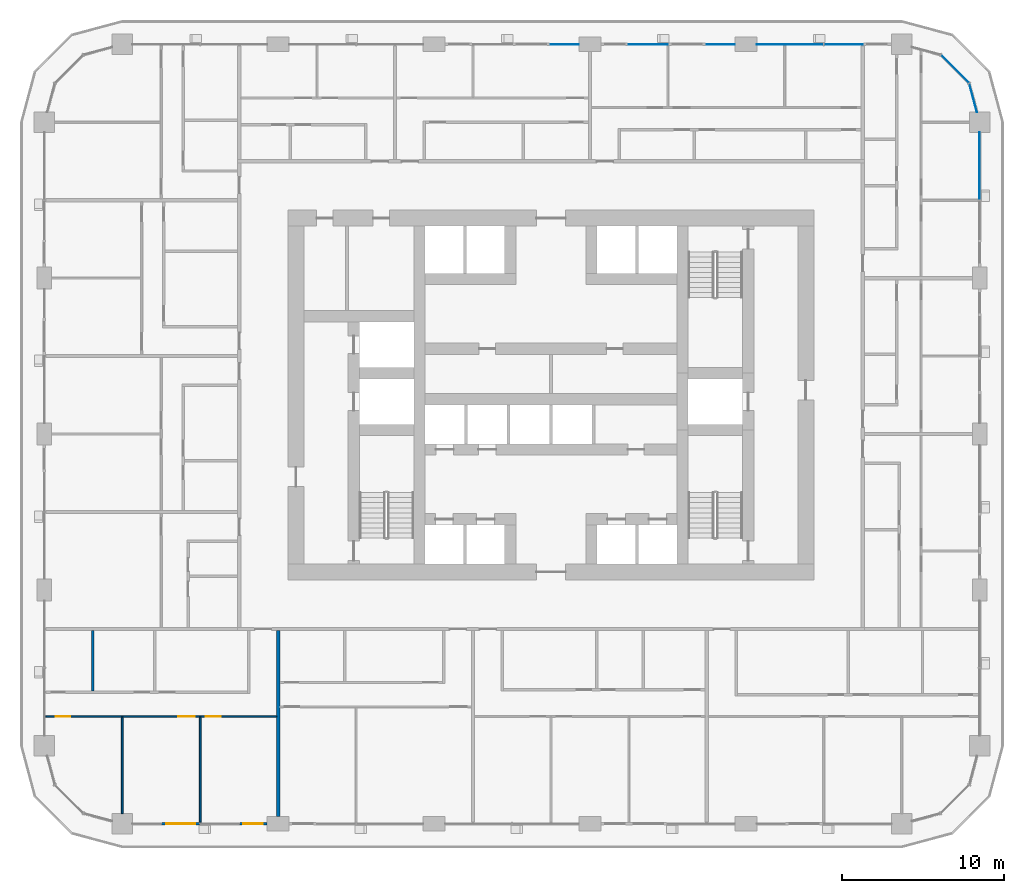
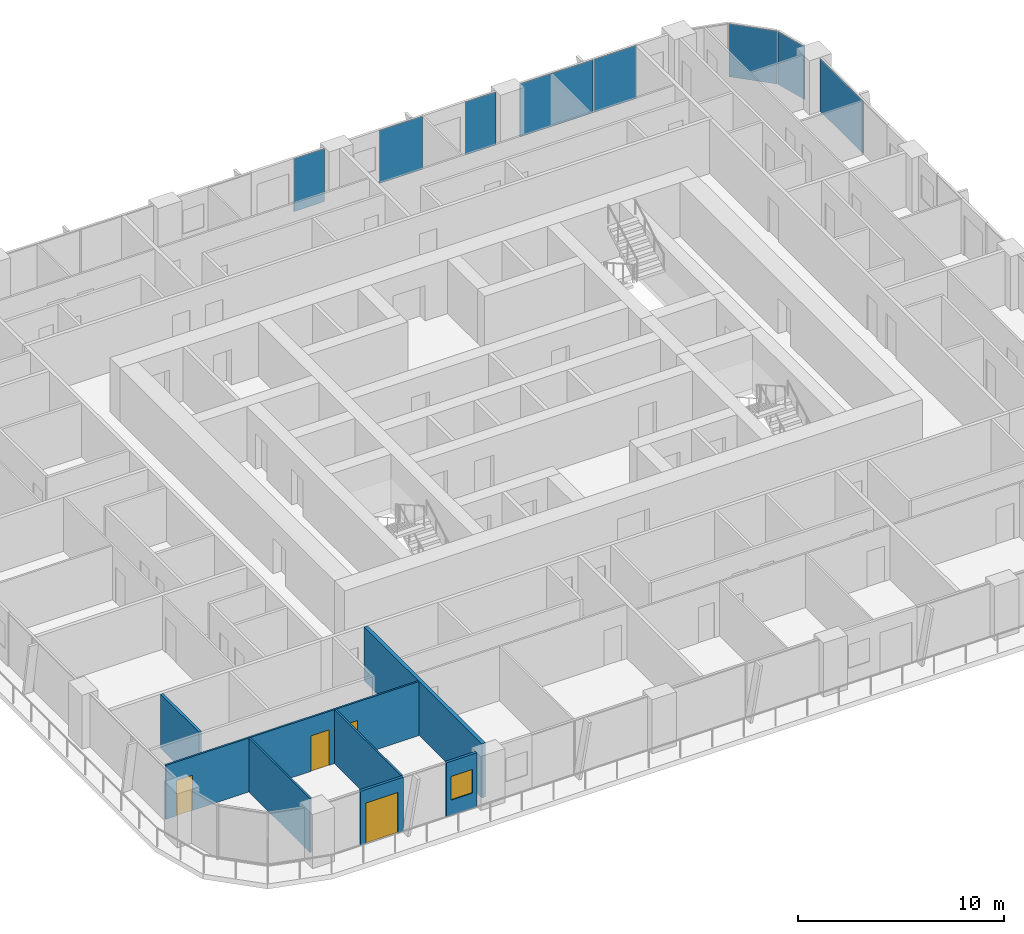
# One storey, part 8 of 21: 8 plates, 7 walls, 4 doors, 1 window, 5 openings, 5 elements without a shape of their own.
"""IFC4 building model written with IfcOpenShell, lengths in metres."""

from ifc_helpers import new_model, si_unit, direction, frame, frame_2d, origin, origin_2d, place, context, subcontext, project, spatial, rectangle, extrude, material, layer, layer_set, type_object, element, fill, aggregate, save


model = new_model("IFC4")

# Units and contexts
model_context = context("Model", 3, precision=1e-05, world=origin(), true_north=direction((0.0, 1.0)))
body_context = subcontext(model_context, "Body", "Model", "MODEL_VIEW")
ifc_project = project(units=[si_unit("LENGTHUNIT", "METRE"), si_unit("AREAUNIT", "SQUARE_METRE"), si_unit("VOLUMEUNIT", "CUBIC_METRE"), si_unit("PLANEANGLEUNIT", "RADIAN"), si_unit("MASSUNIT", "GRAM", prefix="KILO")], contexts=[model_context])

# Site, building, storey
site_placement = place(None, origin())
site = spatial("IfcSite", under=ifc_project, at=site_placement, CompositionType="ELEMENT")
building_placement = place(site_placement, origin())
building = spatial("IfcBuilding", under=site, at=building_placement, Name="Madar Terraces", CompositionType="ELEMENT")
storey_placement = place(building_placement, frame((0.0, 0.0, 39.89990234375)))
storey = spatial("IfcBuildingStorey", under=building, at=storey_placement, Name="L09", CompositionType="ELEMENT", Elevation=39.89990234375)

# Curtain wall, plate
ifc_material_1 = material(Name="Glass, ceramic frit dark grey, with black aluminium frame", Category="aluminium")
ifc_layer_1 = layer(ifc_material_1, 0.199951171875)
ifc_layer_set_1 = layer_set([ifc_layer_1], Name="Facade curtain wall, fritted glass")
curtain_wall_type = type_object("IfcCurtainWallType", Name="Facade curtain wall, fritted glass", PredefinedType="NOTDEFINED", material=ifc_layer_set_1)
curtain_wall_1_placement = place(storey_placement, origin())
curtain_wall_1 = element("IfcCurtainWall", 1, at=curtain_wall_1_placement, inside=storey, type_object=curtain_wall_type, Name="Outer skin curtain wall east bay 4", PredefinedType="NOTDEFINED")
ifc_material_2 = material(Name="Glass, ceramic frit dark grey", Category="glass")
ifc_layer_2 = layer(ifc_material_2, 0.028076171875)
ifc_layer_set_2 = layer_set([ifc_layer_2], Name="Facade glass panel 28")
plate_type = type_object("IfcPlateType", Name="Facade glass panel 28", PredefinedType="CURTAIN_PANEL", material=ifc_layer_set_2)
plate_1_placement = place(storey_placement, frame((57.60009765625, 40.50244140625, 0.0), z_axis=(0.0, 0.0, 1.0), x_axis=(0.0, 1.0, 0.0)))
plate_1 = element("IfcPlate", 2, at=plate_1_placement, type_object=plate_type, Name="Panel 2", PredefinedType="CURTAIN_PANEL", context=body_context, shape_type="SweptSolid", body=[
    extrude(rectangle(XDim=4.14501953125, YDim=0.028076171875, at=origin_2d()), origin(), (0.0, 0.0, 1.0), 3.139892578125),
])
aggregate(curtain_wall_1, [plate_1])

# Curtain wall, plates
curtain_wall_2_placement = place(storey_placement, origin())
curtain_wall_2 = element("IfcCurtainWall", 3, at=curtain_wall_2_placement, inside=storey, type_object=curtain_wall_type, Name="Outer skin curtain wall north bay 1", PredefinedType="NOTDEFINED")
plate_2_placement = place(storey_placement, frame((49.215087890625, 48.0, 0.0), z_axis=(0.0, 0.0, 1.0), x_axis=(-1.0, 0.0, 0.0)))
plate_2 = element("IfcPlate", 4, at=plate_2_placement, type_object=plate_type, Name="Panel 1", PredefinedType="CURTAIN_PANEL", context=body_context, shape_type="SweptSolid", body=[
    extrude(rectangle(XDim=2.3701171875, YDim=0.028076171875, at=origin_2d()), origin(), (0.0, 0.0, 1.0), 3.139892578125),
])
plate_3_placement = place(storey_placement, frame((45.922607421875, 48.0, 0.0), z_axis=(0.0, 0.0, 1.0), x_axis=(-1.0, 0.0, 0.0)))
plate_3 = element("IfcPlate", 5, at=plate_3_placement, type_object=plate_type, Name="Panel 2", PredefinedType="CURTAIN_PANEL", context=body_context, shape_type="SweptSolid", body=[
    extrude(rectangle(XDim=4.094970703125, YDim=0.028076171875, at=origin_2d()), origin(), (0.0, 0.0, 1.0), 3.139892578125),
])
aggregate(curtain_wall_2, [plate_2, plate_3])

curtain_wall_3_placement = place(storey_placement, origin())
curtain_wall_3 = element("IfcCurtainWall", 6, at=curtain_wall_3_placement, inside=storey, type_object=curtain_wall_type, Name="Outer skin curtain wall north bay 2", PredefinedType="NOTDEFINED")
plate_4_placement = place(storey_placement, frame((41.66259765625, 48.0, 0.0), z_axis=(0.0, 0.0, 1.0), x_axis=(-1.0, 0.0, 0.0)))
plate_4 = element("IfcPlate", 7, at=plate_4_placement, type_object=plate_type, Name="Panel 1", PredefinedType="CURTAIN_PANEL", context=body_context, shape_type="SweptSolid", body=[
    extrude(rectangle(XDim=1.72509765625, YDim=0.028076171875, at=origin_2d()), origin(), (0.0, 0.0, 1.0), 3.139892578125),
])
plate_5_placement = place(storey_placement, frame((37.199951171875, 48.0, 0.0), z_axis=(0.0, 0.0, 1.0), x_axis=(-1.0, 0.0, 0.0)))
plate_5 = element("IfcPlate", 8, at=plate_5_placement, type_object=plate_type, Name="Panel 2", PredefinedType="CURTAIN_PANEL", context=body_context, shape_type="SweptSolid", body=[
    extrude(rectangle(XDim=2.39990234375, YDim=0.028076171875, at=origin_2d()), origin(), (0.0, 0.0, 1.0), 3.139892578125),
])
aggregate(curtain_wall_3, [plate_4, plate_5])

# Curtain wall, plate
curtain_wall_4_placement = place(storey_placement, origin())
curtain_wall_4 = element("IfcCurtainWall", 9, at=curtain_wall_4_placement, inside=storey, type_object=curtain_wall_type, Name="Outer skin curtain wall north bay 3", PredefinedType="NOTDEFINED")
plate_6_placement = place(storey_placement, frame((32.0625, 48.0, 0.0), z_axis=(0.0, 0.0, 1.0), x_axis=(-1.0, 0.0, 0.0)))
plate_6 = element("IfcPlate", 10, at=plate_6_placement, type_object=plate_type, Name="Panel 1", PredefinedType="CURTAIN_PANEL", context=body_context, shape_type="SweptSolid", body=[
    extrude(rectangle(XDim=1.72509765625, YDim=0.028076171875, at=origin_2d()), origin(), (0.0, 0.0, 1.0), 3.139892578125),
])
aggregate(curtain_wall_4, [plate_6])

# Curtain wall, plates
curtain_wall_5_placement = place(storey_placement, origin())
curtain_wall_5 = element("IfcCurtainWall", 11, at=curtain_wall_5_placement, inside=storey, type_object=curtain_wall_type, Name="Outer skin curtain wall north-east corner", PredefinedType="NOTDEFINED")
plate_7_placement = place(storey_placement, frame((57.19873046875, 44.697998046875, 0.0), z_axis=(0.0, 0.0, 1.0), x_axis=(-0.258819021888, 0.965925832509, 0.0)))
plate_7 = element("IfcPlate", 12, at=plate_7_placement, type_object=plate_type, Name="Panel 1", PredefinedType="CURTAIN_PANEL", context=body_context, shape_type="SweptSolid", body=[
    extrude(rectangle(XDim=1.8076171875, YDim=0.028076171875, at=origin_2d()), origin(), (0.0, 0.0, 1.0), 3.139892578125),
])
plate_8_placement = place(storey_placement, frame((56.078369140625, 46.478515625, 0.0), z_axis=(0.0, 0.0, 1.0), x_axis=(-0.707106781187, 0.707106781187, 0.0)))
plate_8 = element("IfcPlate", 13, at=plate_8_placement, type_object=plate_type, Name="Panel 2", PredefinedType="CURTAIN_PANEL", context=body_context, shape_type="SweptSolid", body=[
    extrude(rectangle(XDim=2.424560546875, YDim=0.028076171875, at=origin_2d()), origin(), (0.0, 0.0, 1.0), 3.139892578125),
])
aggregate(curtain_wall_5, [plate_7, plate_8])

# Wall, opening, door
ifc_material_3 = material(Name="Aluminium composite panel, black, over insulated backing", Category="aluminium")
ifc_layer_3 = layer(ifc_material_3, 0.14990234375)
ifc_layer_set_3 = layer_set([ifc_layer_3], Name="Facade bay panel 150")
wall_type_1 = type_object("IfcWallType", Name="Facade bay panel 150", PredefinedType="SOLIDWALL", material=ifc_layer_set_3)
wall_1_placement = place(storey_placement, frame((7.199951171875, 0.0, 0.0), z_axis=(0.0, 0.0, 1.0), x_axis=(1.0, 0.0, 0.0)))
wall_1 = element("IfcWall", 14, at=wall_1_placement, inside=storey, type_object=wall_type_1, Name="Facade bay panel", PredefinedType="SOLIDWALL", context=body_context, shape_type="SweptSolid", body=[
    extrude(rectangle(XDim=2.400146484375, YDim=0.14990234375, at=frame_2d((1.2001953125, 0.0))), origin(), (0.0, 0.0, 1.0), 3.2001953125),
])
opening_1_placement = place(wall_1_placement, frame((0.300048828125, 0.0, 0.0)))
opening_1 = element("IfcOpeningElement", 15, at=opening_1_placement, cuts=wall_1, Name="Opening ED1", PredefinedType="OPENING", context=body_context, shape_type="SweptSolid", body=[
    extrude(rectangle(XDim=1.800048828125, YDim=2.39990234375, at=frame_2d((0.89990234375, 1.199951171875))), frame((0.0, 0.0849609375, 0.0), z_axis=(0.0, -1.0, 0.0), x_axis=(1.0, 0.0, 0.0)), (0.0, 0.0, 1.0), 0.169921875),
])
ifc_material_4 = material(Name="Glass, clear, with black aluminium frame", Category="aluminium")
door_type_1 = type_object("IfcDoorType", Name="Balcony and terrace sliding door 1800 x 2400", OperationType="SLIDING_TO_LEFT", PredefinedType="DOOR", material=ifc_material_4)
door_1_placement = place(opening_1_placement, origin())
door_1 = element("IfcDoor", 16, at=door_1_placement, inside=storey, type_object=door_type_1, Name="Balcony door", OperationType="SLIDING_TO_LEFT", OverallHeight=2.39990234375, OverallWidth=1.800048828125, PredefinedType="DOOR", context=body_context, shape_type="SweptSolid", body=[
    extrude(rectangle(XDim=1.800048828125, YDim=2.39990234375, at=frame_2d((0.89990234375, 1.199951171875))), frame((0.0, 0.02490234375, 0.0), z_axis=(0.0, -1.0, 0.0), x_axis=(1.0, 0.0, 0.0)), (0.0, 0.0, 1.0), 0.050048828125),
])
fill(opening_1, door_1)

# Wall, opening, window
wall_2_placement = place(storey_placement, frame((12.0, 0.0, 0.0), z_axis=(0.0, 0.0, 1.0), x_axis=(1.0, 0.0, 0.0)))
wall_2 = element("IfcWall", 17, at=wall_2_placement, inside=storey, type_object=wall_type_1, Name="Facade bay panel", PredefinedType="SOLIDWALL", context=body_context, shape_type="SweptSolid", body=[
    extrude(rectangle(XDim=1.72509765625, YDim=0.14990234375, at=frame_2d((0.862548828125, 0.0))), origin(), (0.0, 0.0, 1.0), 3.2001953125),
])
opening_2_placement = place(wall_2_placement, frame((0.262451171875, 0.0, 0.89990234375)))
opening_2 = element("IfcOpeningElement", 18, at=opening_2_placement, cuts=wall_2, Name="Opening W1", PredefinedType="OPENING", context=body_context, shape_type="SweptSolid", body=[
    extrude(rectangle(XDim=1.199951171875, YDim=1.39990234375, at=frame_2d((0.60009765625, 0.699951171875))), frame((0.0, 0.0849609375, 0.0), z_axis=(0.0, -1.0, 0.0), x_axis=(1.0, 0.0, 0.0)), (0.0, 0.0, 1.0), 0.169921875),
])
ifc_material_5 = material(Name="Glass, clear, with black aluminium frame", Category="aluminium")
window_type = type_object("IfcWindowType", Name="Vent window 1200 x 1400", PartitioningType="SINGLE_PANEL", PredefinedType="WINDOW", material=ifc_material_5)
window_placement = place(opening_2_placement, origin())
window = element("IfcWindow", 19, at=window_placement, inside=storey, type_object=window_type, Name="Operable vent window", OverallHeight=1.39990234375, OverallWidth=1.199951171875, PartitioningType="SINGLE_PANEL", PredefinedType="WINDOW", context=body_context, shape_type="SweptSolid", body=[
    extrude(rectangle(XDim=1.199951171875, YDim=1.39990234375, at=frame_2d((0.60009765625, 0.699951171875))), frame((0.0, 0.030029296875, 0.0), z_axis=(0.0, -1.0, 0.0), x_axis=(1.0, 0.0, 0.0)), (0.0, 0.0, 1.0), 0.06005859375),
])
fill(opening_2, window)

# Walls
ifc_material_6 = material(Name="Gypsum board on steel studs", Category="steel")
ifc_layer_4 = layer(ifc_material_6, 0.10009765625)
ifc_layer_set_4 = layer_set([ifc_layer_4], Name="Flat partition 100")
wall_type_2 = type_object("IfcWallType", Name="Flat partition 100", PredefinedType="PARTITIONING", material=ifc_layer_set_4)
wall_3_placement = place(storey_placement, frame((9.60009765625, 6.550048828125, 0.0), z_axis=(0.0, 0.0, 1.0), x_axis=(0.0, -1.0, 0.0)))
element("IfcWall", 20, at=wall_3_placement, inside=storey, type_object=wall_type_2, Name="Flat partition 100", PredefinedType="PARTITIONING", context=body_context, shape_type="SweptSolid", body=[
    extrude(rectangle(XDim=6.449951171875, YDim=0.10009765625, at=frame_2d((3.22509765625, 0.0))), origin(), (0.0, 0.0, 1.0), 3.2001953125),
])
wall_4_placement = place(storey_placement, frame((4.800048828125, 6.550048828125, 0.0), z_axis=(0.0, 0.0, 1.0), x_axis=(0.0, -1.0, 0.0)))
element("IfcWall", 21, at=wall_4_placement, inside=storey, type_object=wall_type_2, Name="Flat partition 100", PredefinedType="PARTITIONING", context=body_context, shape_type="SweptSolid", body=[
    extrude(rectangle(XDim=5.925048828125, YDim=0.10009765625, at=frame_2d((2.96240234375, 0.0))), origin(), (0.0, 0.0, 1.0), 3.2001953125),
])

# Wall, openings, doors
wall_5_placement = place(storey_placement, frame((14.300048828125, 6.60009765625, 0.0), z_axis=(0.0, 0.0, 1.0), x_axis=(-1.0, 0.0, 0.0)))
wall_5 = element("IfcWall", 22, at=wall_5_placement, inside=storey, type_object=wall_type_2, Name="Flat partition 100", PredefinedType="PARTITIONING", context=body_context, shape_type="SweptSolid", body=[
    extrude(rectangle(XDim=14.199951171875, YDim=0.10009765625, at=frame_2d((7.10009765625, 0.0))), origin(), (0.0, 0.0, 1.0), 3.2001953125),
])
opening_3_placement = place(wall_5_placement, frame((3.449951171875, 0.0, 0.0)))
opening_3 = element("IfcOpeningElement", 23, at=opening_3_placement, cuts=wall_5, Name="Opening D2", PredefinedType="OPENING", context=body_context, shape_type="SweptSolid", body=[
    extrude(rectangle(XDim=0.89990234375, YDim=2.10009765625, at=frame_2d((0.449951171875, 1.050048828125))), frame((0.0, 0.06005859375, 0.0), z_axis=(0.0, -1.0, 0.0), x_axis=(1.0, 0.0, 0.0)), (0.0, 0.0, 1.0), 0.1201171875),
])
opening_4_placement = place(wall_5_placement, frame((5.050048828125, 0.0, 0.0)))
opening_4 = element("IfcOpeningElement", 24, at=opening_4_placement, cuts=wall_5, Name="Opening D3", PredefinedType="OPENING", context=body_context, shape_type="SweptSolid", body=[
    extrude(rectangle(XDim=1.0, YDim=2.10009765625, at=frame_2d((0.5, 1.050048828125))), frame((0.0, 0.06005859375, 0.0), z_axis=(0.0, -1.0, 0.0), x_axis=(1.0, 0.0, 0.0)), (0.0, 0.0, 1.0), 0.1201171875),
])
opening_5_placement = place(wall_5_placement, frame((12.699951171875, 0.0, 0.0)))
opening_5 = element("IfcOpeningElement", 25, at=opening_5_placement, cuts=wall_5, Name="Opening D2", PredefinedType="OPENING", context=body_context, shape_type="SweptSolid", body=[
    extrude(rectangle(XDim=0.89990234375, YDim=2.10009765625, at=frame_2d((0.449951171875, 1.050048828125))), frame((0.0, 0.06005859375, 0.0), z_axis=(0.0, -1.0, 0.0), x_axis=(1.0, 0.0, 0.0)), (0.0, 0.0, 1.0), 0.1201171875),
])
ifc_material_7 = material(Name="Timber door leaf", Category="wood")
door_type_2 = type_object("IfcDoorType", Name="Flat living room door 1000", OperationType="NOTDEFINED", PredefinedType="DOOR", material=ifc_material_7)
door_2_placement = place(opening_4_placement, origin())
door_2 = element("IfcDoor", 26, at=door_2_placement, inside=storey, type_object=door_type_2, Name="Flat living room door 1000", OperationType="SINGLE_SWING_LEFT", OverallHeight=2.10009765625, OverallWidth=1.0, PredefinedType="DOOR", context=body_context, shape_type="SweptSolid", body=[
    extrude(rectangle(XDim=1.0, YDim=2.10009765625, at=frame_2d((0.5, 1.050048828125))), frame((0.0, 0.02490234375, 0.0), z_axis=(0.0, -1.0, 0.0), x_axis=(1.0, 0.0, 0.0)), (0.0, 0.0, 1.0), 0.050048828125),
])
fill(opening_4, door_2)
ifc_material_8 = material(Name="Timber door leaf", Category="wood")
door_type_3 = type_object("IfcDoorType", Name="Flat room door 900", OperationType="NOTDEFINED", PredefinedType="DOOR", material=ifc_material_8)
door_3_placement = place(opening_3_placement, origin())
door_3 = element("IfcDoor", 27, at=door_3_placement, inside=storey, type_object=door_type_3, Name="Flat room door 900", OperationType="SINGLE_SWING_RIGHT", OverallHeight=2.10009765625, OverallWidth=0.89990234375, PredefinedType="DOOR", context=body_context, shape_type="SweptSolid", body=[
    extrude(rectangle(XDim=0.89990234375, YDim=2.10009765625, at=frame_2d((0.449951171875, 1.050048828125))), frame((0.0, 0.02490234375, 0.0), z_axis=(0.0, -1.0, 0.0), x_axis=(1.0, 0.0, 0.0)), (0.0, 0.0, 1.0), 0.050048828125),
])
fill(opening_3, door_3)
door_4_placement = place(opening_5_placement, origin())
door_4 = element("IfcDoor", 28, at=door_4_placement, inside=storey, type_object=door_type_3, Name="Flat room door 900", OperationType="SINGLE_SWING_RIGHT", OverallHeight=2.10009765625, OverallWidth=0.89990234375, PredefinedType="DOOR", context=body_context, shape_type="SweptSolid", body=[
    extrude(rectangle(XDim=0.89990234375, YDim=2.10009765625, at=frame_2d((0.449951171875, 1.050048828125))), frame((0.0, 0.02490234375, 0.0), z_axis=(0.0, -1.0, 0.0), x_axis=(1.0, 0.0, 0.0)), (0.0, 0.0, 1.0), 0.050048828125),
])
fill(opening_5, door_4)

# Walls
ifc_material_9 = material(Name="Lightweight blockwork", Category="masonry")
ifc_layer_5 = layer(ifc_material_9, 0.199951171875)
ifc_layer_set_5 = layer_set([ifc_layer_5], Name="Flat party and entrance wall 200")
wall_type_3 = type_object("IfcWallType", Name="Flat party and entrance wall 200", PredefinedType="PARTITIONING", material=ifc_layer_set_5)
wall_6_placement = place(storey_placement, frame((14.39990234375, 11.89990234375, 0.0), z_axis=(0.0, 0.0, 1.0), x_axis=(0.0, -1.0, 0.0)))
element("IfcWall", 29, at=wall_6_placement, inside=storey, type_object=wall_type_3, Name="Flat party and entrance wall 200", PredefinedType="PARTITIONING", context=body_context, shape_type="SweptSolid", body=[
    extrude(rectangle(XDim=11.449951171875, YDim=0.199951171875, at=frame_2d((5.72509765625, 0.0))), origin(), (0.0, 0.0, 1.0), 3.2001953125),
])
ifc_material_10 = material(Name="Lightweight blockwork", Category="masonry")
ifc_layer_6 = layer(ifc_material_10, 0.14990234375)
ifc_layer_set_6 = layer_set([ifc_layer_6], Name="Flat wet-room partition 150")
wall_type_4 = type_object("IfcWallType", Name="Flat wet-room partition 150", PredefinedType="PARTITIONING", material=ifc_layer_set_6)
wall_7_placement = place(storey_placement, frame((2.96728515625, 11.89990234375, 0.0), z_axis=(0.0, 0.0, 1.0), x_axis=(0.0, -1.0, 0.0)))
element("IfcWall", 30, at=wall_7_placement, inside=storey, type_object=wall_type_4, Name="Flat wet-room partition 150", PredefinedType="PARTITIONING", context=body_context, shape_type="SweptSolid", body=[
    extrude(rectangle(XDim=3.724853515625, YDim=0.14990234375, at=frame_2d((1.8623046875, 0.0))), origin(), (0.0, 0.0, 1.0), 3.2001953125),
])

save(model, "model.ifc")
